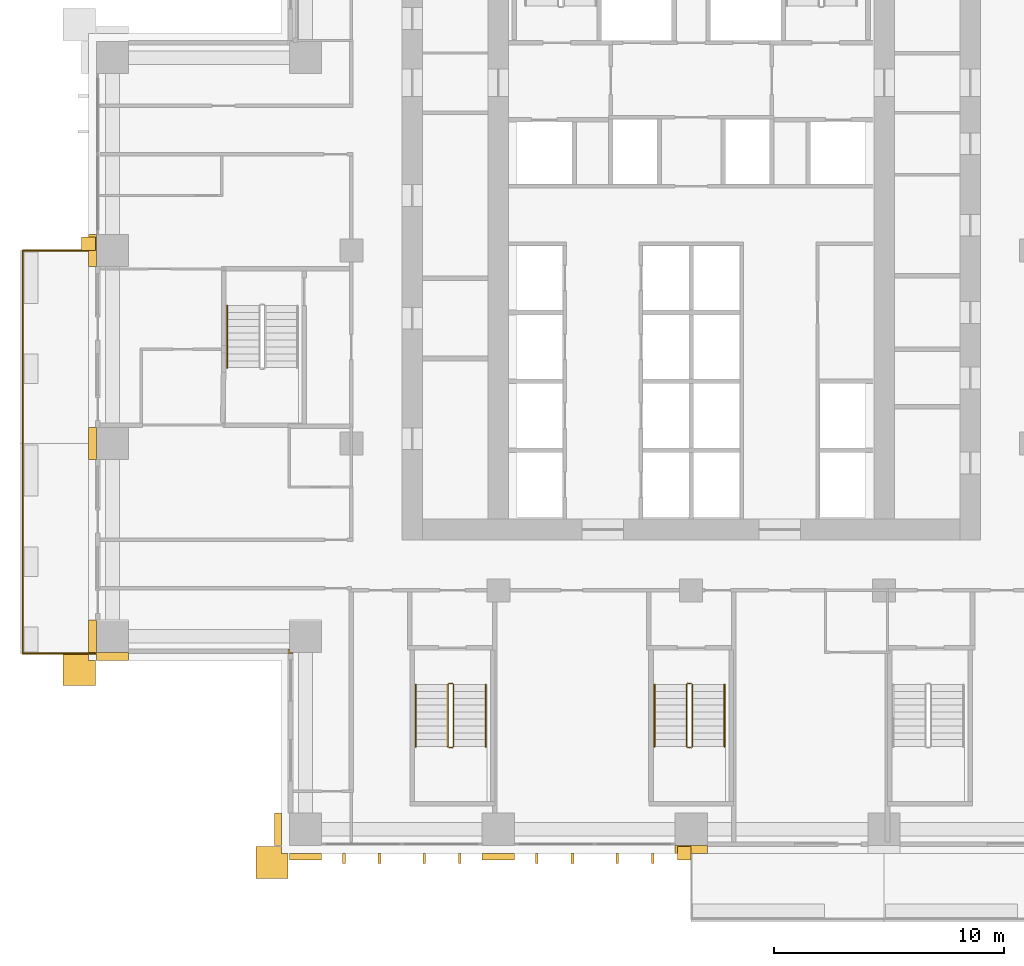
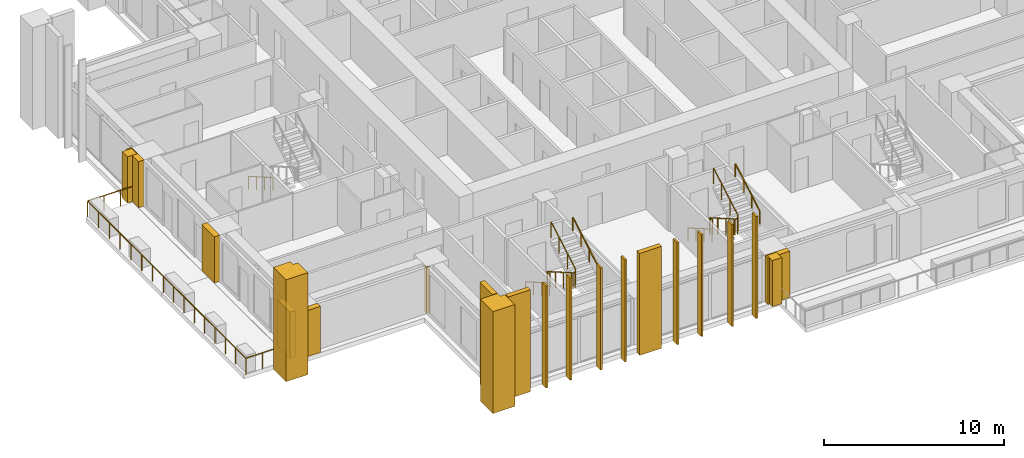
# One storey, part 15 of 19: 21 coverings, 9 railings.
"""IFC4 building model written with IfcOpenShell, lengths in metres."""

from ifc_helpers import new_model, si_unit, direction, frame, origin, origin_2d, place, context, subcontext, project, spatial, polyline, rectangle, outline, extrude, material, layer, layer_set, type_object, element, save


model = new_model("IFC4")

# Units and contexts
model_context = context("Model", 3, precision=1e-05, world=origin(), true_north=direction((0.0, 1.0)))
body_context = subcontext(model_context, "Body", "Model", "MODEL_VIEW")
ifc_project = project(units=[si_unit("LENGTHUNIT", "METRE"), si_unit("AREAUNIT", "SQUARE_METRE"), si_unit("VOLUMEUNIT", "CUBIC_METRE"), si_unit("PLANEANGLEUNIT", "RADIAN"), si_unit("MASSUNIT", "GRAM", prefix="KILO")], contexts=[model_context])

# Site, building, storey
site_placement = place(None, origin())
site = spatial("IfcSite", under=ifc_project, at=site_placement, CompositionType="ELEMENT")
building_placement = place(site_placement, origin())
building = spatial("IfcBuilding", under=site, at=building_placement, Name="Vermilion Ogive Tower", CompositionType="ELEMENT")
storey_placement = place(building_placement, frame((0.0, 0.0, 48.300048828125)))
storey = spatial("IfcBuildingStorey", under=building, at=storey_placement, Name="L10", CompositionType="ELEMENT", Elevation=48.300048828125)

# Railings
ifc_material_1 = material(Name="Stainless steel and glass", Category="steel")
railing_type_1 = type_object("IfcRailingType", Name="Balcony guard", PredefinedType="GUARDRAIL", material=ifc_material_1)
railing_1_placement = place(storey_placement, frame((-25.949951171875, 4.199951171875, -0.0400390625)))
element("IfcRailing", 1, at=railing_1_placement, inside=storey, type_object=railing_type_1, Name="Guard W02", PredefinedType="GUARDRAIL", context=body_context, shape_type="SweptSolid", body=[
    extrude(rectangle(XDim=0.048095703125, YDim=0.048095703125, at=origin_2d()), frame((0.0, 0.0, 1.076171875), z_axis=(-1.0, 0.0, 0.0), x_axis=(0.0, -1.0, 0.0)), (0.0, 0.0, 1.0), 3.16015625),
    extrude(rectangle(XDim=0.048095703125, YDim=0.048095703125, at=origin_2d()), frame((-3.16015625, 0.0, 1.076171875), z_axis=(0.0, -1.0, 0.0), x_axis=(1.0, 0.0, 0.0)), (0.0, 0.0, 1.0), 8.39990234375),
    extrude(rectangle(XDim=0.0419921875, YDim=0.0419921875, at=origin_2d()), origin(), (0.0, 0.0, 1.0), 1.052001953125),
    extrude(rectangle(XDim=0.0419921875, YDim=0.0419921875, at=origin_2d()), frame((-1.053466796875, 0.0, 0.0)), (0.0, 0.0, 1.0), 1.052001953125),
    extrude(rectangle(XDim=0.0419921875, YDim=0.0419921875, at=origin_2d()), frame((-2.106689453125, 0.0, 0.0)), (0.0, 0.0, 1.0), 1.052001953125),
    extrude(rectangle(XDim=0.0419921875, YDim=0.0419921875, at=origin_2d()), frame((-3.16015625, 0.0, 0.0)), (0.0, 0.0, 1.0), 1.052001953125),
    extrude(rectangle(XDim=0.0419921875, YDim=0.0419921875, at=origin_2d()), frame((-3.16015625, -1.199951171875, 0.0)), (0.0, 0.0, 1.0), 1.052001953125),
    extrude(rectangle(XDim=0.0419921875, YDim=0.0419921875, at=origin_2d()), frame((-3.16015625, -2.39990234375, 0.0)), (0.0, 0.0, 1.0), 1.052001953125),
    extrude(rectangle(XDim=0.0419921875, YDim=0.0419921875, at=origin_2d()), frame((-3.16015625, -3.599853515625, 0.0)), (0.0, 0.0, 1.0), 1.052001953125),
    extrude(rectangle(XDim=0.0419921875, YDim=0.0419921875, at=origin_2d()), frame((-3.16015625, -4.800048828125, 0.0)), (0.0, 0.0, 1.0), 1.052001953125),
    extrude(rectangle(XDim=0.0419921875, YDim=0.0419921875, at=origin_2d()), frame((-3.16015625, -6.0, 0.0)), (0.0, 0.0, 1.0), 1.052001953125),
    extrude(rectangle(XDim=0.0419921875, YDim=0.0419921875, at=origin_2d()), frame((-3.16015625, -7.199951171875, 0.0)), (0.0, 0.0, 1.0), 1.052001953125),
    extrude(rectangle(XDim=0.0419921875, YDim=0.0419921875, at=origin_2d()), frame((-3.16015625, -8.39990234375, 0.0)), (0.0, 0.0, 1.0), 1.052001953125),
])
railing_2_placement = place(storey_placement, frame((-29.110107421875, -4.199951171875, -0.0400390625)))
element("IfcRailing", 2, at=railing_2_placement, inside=storey, type_object=railing_type_1, Name="Guard W03", PredefinedType="GUARDRAIL", context=body_context, shape_type="SweptSolid", body=[
    extrude(rectangle(XDim=0.048095703125, YDim=0.048095703125, at=origin_2d()), frame((0.0, 0.0, 1.076171875), z_axis=(0.0, -1.0, 0.0), x_axis=(1.0, 0.0, 0.0)), (0.0, 0.0, 1.0), 9.150146484375),
    extrude(rectangle(XDim=0.048095703125, YDim=0.048095703125, at=origin_2d()), frame((0.0, -9.150146484375, 1.076171875), z_axis=(1.0, 0.0, 0.0), x_axis=(0.0, 1.0, 0.0)), (0.0, 0.0, 1.0), 3.16015625),
    extrude(rectangle(XDim=0.0419921875, YDim=0.0419921875, at=origin_2d()), origin(), (0.0, 0.0, 1.0), 1.052001953125),
    extrude(rectangle(XDim=0.0419921875, YDim=0.0419921875, at=origin_2d()), frame((0.0, -1.143798828125, 0.0)), (0.0, 0.0, 1.0), 1.052001953125),
    extrude(rectangle(XDim=0.0419921875, YDim=0.0419921875, at=origin_2d()), frame((0.0, -2.28759765625, 0.0)), (0.0, 0.0, 1.0), 1.052001953125),
    extrude(rectangle(XDim=0.0419921875, YDim=0.0419921875, at=origin_2d()), frame((0.0, -3.431396484375, 0.0)), (0.0, 0.0, 1.0), 1.052001953125),
    extrude(rectangle(XDim=0.0419921875, YDim=0.0419921875, at=origin_2d()), frame((0.0, -4.5751953125, 0.0)), (0.0, 0.0, 1.0), 1.052001953125),
    extrude(rectangle(XDim=0.0419921875, YDim=0.0419921875, at=origin_2d()), frame((0.0, -5.71875, 0.0)), (0.0, 0.0, 1.0), 1.052001953125),
    extrude(rectangle(XDim=0.0419921875, YDim=0.0419921875, at=origin_2d()), frame((0.0, -6.862548828125, 0.0)), (0.0, 0.0, 1.0), 1.052001953125),
    extrude(rectangle(XDim=0.0419921875, YDim=0.0419921875, at=origin_2d()), frame((0.0, -8.00634765625, 0.0)), (0.0, 0.0, 1.0), 1.052001953125),
    extrude(rectangle(XDim=0.0419921875, YDim=0.0419921875, at=origin_2d()), frame((0.0, -9.150146484375, 0.0)), (0.0, 0.0, 1.0), 1.052001953125),
    extrude(rectangle(XDim=0.0419921875, YDim=0.0419921875, at=origin_2d()), frame((1.053466796875, -9.150146484375, 0.0)), (0.0, 0.0, 1.0), 1.052001953125),
    extrude(rectangle(XDim=0.0419921875, YDim=0.0419921875, at=origin_2d()), frame((2.106689453125, -9.150146484375, 0.0)), (0.0, 0.0, 1.0), 1.052001953125),
    extrude(rectangle(XDim=0.0419921875, YDim=0.0419921875, at=origin_2d()), frame((3.16015625, -9.150146484375, 0.0)), (0.0, 0.0, 1.0), 1.052001953125),
])

# Coverings
ifc_material_2 = material(Name="Glazed ceramic screen")
ifc_layer = layer(ifc_material_2, 0.14990234375)
ifc_layer_set = layer_set([ifc_layer], Name="Ceramic solar screen fin")
covering_type_1 = type_object("IfcCoveringType", Name="Ceramic solar screen fin", PredefinedType="CLADDING", material=ifc_layer_set)
covering_1_placement = place(storey_placement, frame((0.0, 0.0, -0.320068359375)))
element("IfcCovering", 3, at=covering_1_placement, inside=storey, type_object=covering_type_1, Name="Solar screen blade S961", PredefinedType="CLADDING", context=body_context, shape_type="SweptSolid", body=[
    extrude(outline(polyline([(-15.18505859375, -22.5), (-15.06494140625, -22.5), (-15.06494140625, -22.050048828125), (-15.18505859375, -22.050048828125), (-15.18505859375, -22.5)])), origin(), (0.0, 0.0, 1.0), 6.89990234375),
])
covering_2_placement = place(storey_placement, frame((0.0, 0.0, -0.320068359375)))
element("IfcCovering", 4, at=covering_2_placement, inside=storey, type_object=covering_type_1, Name="Solar screen blade S962", PredefinedType="CLADDING", context=body_context, shape_type="SweptSolid", body=[
    extrude(outline(polyline([(-13.635009765625, -22.5), (-13.514892578125, -22.5), (-13.514892578125, -22.050048828125), (-13.635009765625, -22.050048828125), (-13.635009765625, -22.5)])), origin(), (0.0, 0.0, 1.0), 6.89990234375),
])
covering_3_placement = place(storey_placement, frame((0.0, 0.0, -0.320068359375)))
element("IfcCovering", 5, at=covering_3_placement, inside=storey, type_object=covering_type_1, Name="Solar screen blade S971", PredefinedType="CLADDING", context=body_context, shape_type="SweptSolid", body=[
    extrude(outline(polyline([(-11.68505859375, -22.5), (-11.56494140625, -22.5), (-11.56494140625, -22.050048828125), (-11.68505859375, -22.050048828125), (-11.68505859375, -22.5)])), origin(), (0.0, 0.0, 1.0), 6.89990234375),
])
covering_4_placement = place(storey_placement, frame((0.0, 0.0, -0.320068359375)))
element("IfcCovering", 6, at=covering_4_placement, inside=storey, type_object=covering_type_1, Name="Solar screen blade S972", PredefinedType="CLADDING", context=body_context, shape_type="SweptSolid", body=[
    extrude(outline(polyline([(-10.135009765625, -22.5), (-10.014892578125, -22.5), (-10.014892578125, -22.050048828125), (-10.135009765625, -22.050048828125), (-10.135009765625, -22.5)])), origin(), (0.0, 0.0, 1.0), 6.89990234375),
])
covering_5_placement = place(storey_placement, frame((0.0, 0.0, -0.320068359375)))
element("IfcCovering", 7, at=covering_5_placement, inside=storey, type_object=covering_type_1, Name="Solar screen blade S981", PredefinedType="CLADDING", context=body_context, shape_type="SweptSolid", body=[
    extrude(outline(polyline([(-6.784912109375, -22.5), (-6.6650390625, -22.5), (-6.6650390625, -22.050048828125), (-6.784912109375, -22.050048828125), (-6.784912109375, -22.5)])), origin(), (0.0, 0.0, 1.0), 6.89990234375),
])
covering_6_placement = place(storey_placement, frame((0.0, 0.0, -0.320068359375)))
element("IfcCovering", 8, at=covering_6_placement, inside=storey, type_object=covering_type_1, Name="Solar screen blade S982", PredefinedType="CLADDING", context=body_context, shape_type="SweptSolid", body=[
    extrude(outline(polyline([(-5.235107421875, -22.5), (-5.114990234375, -22.5), (-5.114990234375, -22.050048828125), (-5.235107421875, -22.050048828125), (-5.235107421875, -22.5)])), origin(), (0.0, 0.0, 1.0), 6.89990234375),
])
covering_7_placement = place(storey_placement, frame((0.0, 0.0, -0.320068359375)))
element("IfcCovering", 9, at=covering_7_placement, inside=storey, type_object=covering_type_1, Name="Solar screen blade S991", PredefinedType="CLADDING", context=body_context, shape_type="SweptSolid", body=[
    extrude(outline(polyline([(-3.284912109375, -22.5), (-3.1650390625, -22.5), (-3.1650390625, -22.050048828125), (-3.284912109375, -22.050048828125), (-3.284912109375, -22.5)])), origin(), (0.0, 0.0, 1.0), 6.89990234375),
])
covering_8_placement = place(storey_placement, frame((0.0, 0.0, -0.320068359375)))
element("IfcCovering", 10, at=covering_8_placement, inside=storey, type_object=covering_type_1, Name="Solar screen blade S992", PredefinedType="CLADDING", context=body_context, shape_type="SweptSolid", body=[
    extrude(outline(polyline([(-1.735107421875, -22.5), (-1.614990234375, -22.5), (-1.614990234375, -22.050048828125), (-1.735107421875, -22.050048828125), (-1.735107421875, -22.5)])), origin(), (0.0, 0.0, 1.0), 6.89990234375),
])

# Railings
ifc_material_3 = material(Name="Steel S355 painted", Category="steel")
railing_type_2 = type_object("IfcRailingType", Name="Stair guard 1100", PredefinedType="GUARDRAIL", material=ifc_material_3)
railing_3_placement = place(storey_placement, frame((-10.39990234375, -14.64990234375, 0.0)))
element("IfcRailing", 11, at=railing_3_placement, inside=storey, type_object=railing_type_2, Name="L10 ST3 stair guard 4", PredefinedType="GUARDRAIL", context=body_context, shape_type="SweptSolid", body=[
    extrude(rectangle(XDim=0.048095703125, YDim=0.048095703125, at=origin_2d()), frame((0.0, 0.0, 1.076171875), z_axis=(-1.0, 0.0, 0.0), x_axis=(0.0, -1.0, 0.0)), (0.0, 0.0, 1.0), 0.150146484375),
    extrude(rectangle(XDim=0.048095703125, YDim=0.048095703125, at=origin_2d()), frame((-0.150146484375, 0.0, 1.076171875), z_axis=(-0.268603158521, -0.268603158521, 0.925043072762), x_axis=(0.707106781187, -0.707106781187, 0.0)), (0.0, 0.0, 1.0), 0.186279296875),
    extrude(rectangle(XDim=0.048095703125, YDim=0.048095703125, at=origin_2d()), frame((-0.2001953125, -0.050048828125, 1.24853515625), z_axis=(0.0, -0.866903762492, 0.498475542607), x_axis=(1.0, 0.0, 0.0)), (0.0, 0.0, 1.0), 3.114501953125),
    extrude(rectangle(XDim=0.048095703125, YDim=0.048095703125, at=origin_2d()), frame((-0.2001953125, -2.75, 2.80078125), z_axis=(0.707106781187, -0.707106781187, 0.0), x_axis=(0.707106781187, 0.707106781187, 0.0)), (0.0, 0.0, 1.0), 0.07080078125),
    extrude(rectangle(XDim=0.048095703125, YDim=0.048095703125, at=origin_2d()), frame((-0.150146484375, -2.800048828125, 2.80078125), z_axis=(1.0, 0.0, 0.0), x_axis=(0.0, 1.0, 0.0)), (0.0, 0.0, 1.0), 0.150146484375),
    extrude(rectangle(XDim=0.048095703125, YDim=0.048095703125, at=origin_2d()), frame((0.0, -2.800048828125, 2.80078125), z_axis=(0.267062837333, 0.268371968888, 0.925556009775), x_axis=(-0.708833529934, 0.705375805398, 0.0)), (0.0, 0.0, 1.0), 0.1865234375),
    extrude(rectangle(XDim=0.048095703125, YDim=0.048095703125, at=origin_2d()), frame((0.0498046875, -2.75, 2.9736328125), z_axis=(0.0, 0.866903762492, 0.498475542607), x_axis=(-1.0, 0.0, 0.0)), (0.0, 0.0, 1.0), 3.114501953125),
    extrude(rectangle(XDim=0.0419921875, YDim=0.0419921875, at=origin_2d()), origin(), (0.0, 0.0, 1.0), 1.052001953125),
    extrude(rectangle(XDim=0.0419921875, YDim=0.0419921875, at=origin_2d()), frame((-0.150146484375, 0.0, 0.0)), (0.0, 0.0, 1.0), 1.052001953125),
    extrude(rectangle(XDim=0.0419921875, YDim=0.0419921875, at=origin_2d()), frame((-0.2001953125, -0.050048828125, 0.17236328125)), (0.0, 0.0, 1.0), 1.052001953125),
    extrude(rectangle(XDim=0.0419921875, YDim=0.0419921875, at=origin_2d()), frame((-0.2001953125, -0.949951171875, 0.68994140625)), (0.0, 0.0, 1.0), 1.052001953125),
    extrude(rectangle(XDim=0.0419921875, YDim=0.0419921875, at=origin_2d()), frame((-0.2001953125, -1.85009765625, 1.207275390625)), (0.0, 0.0, 1.0), 1.052001953125),
    extrude(rectangle(XDim=0.0419921875, YDim=0.0419921875, at=origin_2d()), frame((-0.2001953125, -2.75, 1.724853515625)), (0.0, 0.0, 1.0), 1.052001953125),
    extrude(rectangle(XDim=0.0419921875, YDim=0.0419921875, at=origin_2d()), frame((-0.150146484375, -2.800048828125, 1.724853515625)), (0.0, 0.0, 1.0), 1.052001953125),
    extrude(rectangle(XDim=0.0419921875, YDim=0.0419921875, at=origin_2d()), frame((0.0, -2.800048828125, 1.724853515625)), (0.0, 0.0, 1.0), 1.052001953125),
    extrude(rectangle(XDim=0.0419921875, YDim=0.0419921875, at=origin_2d()), frame((0.0498046875, -2.75, 1.8974609375)), (0.0, 0.0, 1.0), 1.052001953125),
    extrude(rectangle(XDim=0.0419921875, YDim=0.0419921875, at=origin_2d()), frame((0.0498046875, -1.85009765625, 2.4150390625)), (0.0, 0.0, 1.0), 1.052001953125),
    extrude(rectangle(XDim=0.0419921875, YDim=0.0419921875, at=origin_2d()), frame((0.0498046875, -0.949951171875, 2.932373046875)), (0.0, 0.0, 1.0), 1.052001953125),
    extrude(rectangle(XDim=0.0419921875, YDim=0.0419921875, at=origin_2d()), frame((0.0498046875, -0.050048828125, 3.449951171875)), (0.0, 0.0, 1.0), 1.052001953125),
])
railing_4_placement = place(storey_placement, frame((0.0, -14.64990234375, 0.0)))
element("IfcRailing", 12, at=railing_4_placement, inside=storey, type_object=railing_type_2, Name="L10 ST4 stair guard 4", PredefinedType="GUARDRAIL", context=body_context, shape_type="SweptSolid", body=[
    extrude(rectangle(XDim=0.048095703125, YDim=0.048095703125, at=origin_2d()), frame((0.0, 0.0, 1.076171875), z_axis=(-1.0, 0.0, 0.0), x_axis=(0.0, -1.0, 0.0)), (0.0, 0.0, 1.0), 0.14990234375),
    extrude(rectangle(XDim=0.048095703125, YDim=0.048095703125, at=origin_2d()), frame((-0.14990234375, 0.0, 1.076171875), z_axis=(-0.268603158521, -0.268603158521, 0.925043072762), x_axis=(0.707106781187, -0.707106781187, 0.0)), (0.0, 0.0, 1.0), 0.186279296875),
    extrude(rectangle(XDim=0.048095703125, YDim=0.048095703125, at=origin_2d()), frame((-0.199951171875, -0.050048828125, 1.24853515625), z_axis=(0.0, -0.866903762492, 0.498475542607), x_axis=(1.0, 0.0, 0.0)), (0.0, 0.0, 1.0), 3.114501953125),
    extrude(rectangle(XDim=0.048095703125, YDim=0.048095703125, at=origin_2d()), frame((-0.199951171875, -2.75, 2.80078125), z_axis=(0.707106781187, -0.707106781187, 0.0), x_axis=(0.707106781187, 0.707106781187, 0.0)), (0.0, 0.0, 1.0), 0.07080078125),
    extrude(rectangle(XDim=0.048095703125, YDim=0.048095703125, at=origin_2d()), frame((-0.14990234375, -2.800048828125, 2.80078125), z_axis=(1.0, 0.0, 0.0), x_axis=(0.0, 1.0, 0.0)), (0.0, 0.0, 1.0), 0.14990234375),
    extrude(rectangle(XDim=0.048095703125, YDim=0.048095703125, at=origin_2d()), frame((0.0, -2.800048828125, 2.80078125), z_axis=(0.268277960024, 0.268277960024, 0.925231793839), x_axis=(-0.707106781187, 0.707106781187, 0.0)), (0.0, 0.0, 1.0), 0.1865234375),
    extrude(rectangle(XDim=0.048095703125, YDim=0.048095703125, at=origin_2d()), frame((0.050048828125, -2.75, 2.9736328125), z_axis=(0.0, 0.866903762492, 0.498475542607), x_axis=(-1.0, 0.0, 0.0)), (0.0, 0.0, 1.0), 3.114501953125),
    extrude(rectangle(XDim=0.0419921875, YDim=0.0419921875, at=origin_2d()), origin(), (0.0, 0.0, 1.0), 1.052001953125),
    extrude(rectangle(XDim=0.0419921875, YDim=0.0419921875, at=origin_2d()), frame((-0.14990234375, 0.0, 0.0)), (0.0, 0.0, 1.0), 1.052001953125),
    extrude(rectangle(XDim=0.0419921875, YDim=0.0419921875, at=origin_2d()), frame((-0.199951171875, -0.050048828125, 0.17236328125)), (0.0, 0.0, 1.0), 1.052001953125),
    extrude(rectangle(XDim=0.0419921875, YDim=0.0419921875, at=origin_2d()), frame((-0.199951171875, -0.949951171875, 0.68994140625)), (0.0, 0.0, 1.0), 1.052001953125),
    extrude(rectangle(XDim=0.0419921875, YDim=0.0419921875, at=origin_2d()), frame((-0.199951171875, -1.85009765625, 1.207275390625)), (0.0, 0.0, 1.0), 1.052001953125),
    extrude(rectangle(XDim=0.0419921875, YDim=0.0419921875, at=origin_2d()), frame((-0.199951171875, -2.75, 1.724853515625)), (0.0, 0.0, 1.0), 1.052001953125),
    extrude(rectangle(XDim=0.0419921875, YDim=0.0419921875, at=origin_2d()), frame((-0.14990234375, -2.800048828125, 1.724853515625)), (0.0, 0.0, 1.0), 1.052001953125),
    extrude(rectangle(XDim=0.0419921875, YDim=0.0419921875, at=origin_2d()), frame((0.0, -2.800048828125, 1.724853515625)), (0.0, 0.0, 1.0), 1.052001953125),
    extrude(rectangle(XDim=0.0419921875, YDim=0.0419921875, at=origin_2d()), frame((0.050048828125, -2.75, 1.8974609375)), (0.0, 0.0, 1.0), 1.052001953125),
    extrude(rectangle(XDim=0.0419921875, YDim=0.0419921875, at=origin_2d()), frame((0.050048828125, -1.85009765625, 2.4150390625)), (0.0, 0.0, 1.0), 1.052001953125),
    extrude(rectangle(XDim=0.0419921875, YDim=0.0419921875, at=origin_2d()), frame((0.050048828125, -0.949951171875, 2.932373046875)), (0.0, 0.0, 1.0), 1.052001953125),
    extrude(rectangle(XDim=0.0419921875, YDim=0.0419921875, at=origin_2d()), frame((0.050048828125, -0.050048828125, 3.449951171875)), (0.0, 0.0, 1.0), 1.052001953125),
])
ifc_material_4 = material(Name="Stainless steel", Category="steel")
railing_type_3 = type_object("IfcRailingType", Name="Stair handrail 900", PredefinedType="HANDRAIL", material=ifc_material_4)
railing_5_placement = place(storey_placement, frame((-12.0, -14.699951171875, 0.17236328125)))
element("IfcRailing", 13, at=railing_5_placement, inside=storey, type_object=railing_type_3, Name="L10 ST3 stair handrail 1", PredefinedType="HANDRAIL", context=body_context, shape_type="SweptSolid", body=[
    extrude(rectangle(XDim=0.048095703125, YDim=0.048095703125, at=origin_2d()), frame((0.0, 0.0, 0.8759765625), z_axis=(0.0, -0.866903762492, 0.498475542607), x_axis=(1.0, 0.0, 0.0)), (0.0, 0.0, 1.0), 3.114501953125),
    extrude(rectangle(XDim=0.0419921875, YDim=0.0419921875, at=origin_2d()), origin(), (0.0, 0.0, 1.0), 0.851806640625),
    extrude(rectangle(XDim=0.0419921875, YDim=0.0419921875, at=origin_2d()), frame((0.0, -0.89990234375, 0.517578125)), (0.0, 0.0, 1.0), 0.851806640625),
    extrude(rectangle(XDim=0.0419921875, YDim=0.0419921875, at=origin_2d()), frame((0.0, -1.800048828125, 1.034912109375)), (0.0, 0.0, 1.0), 0.851806640625),
    extrude(rectangle(XDim=0.0419921875, YDim=0.0419921875, at=origin_2d()), frame((0.0, -2.699951171875, 1.552490234375)), (0.0, 0.0, 1.0), 0.851806640625),
])
railing_6_placement = place(storey_placement, frame((-8.949951171875, -17.39990234375, 1.8974609375)))
element("IfcRailing", 14, at=railing_6_placement, inside=storey, type_object=railing_type_3, Name="L10 ST3 stair handrail 2", PredefinedType="HANDRAIL", context=body_context, shape_type="SweptSolid", body=[
    extrude(rectangle(XDim=0.048095703125, YDim=0.048095703125, at=origin_2d()), frame((0.0, 0.0, 0.8759765625), z_axis=(0.0, 0.866903762492, 0.498475542607), x_axis=(-1.0, 0.0, 0.0)), (0.0, 0.0, 1.0), 3.114501953125),
    extrude(rectangle(XDim=0.0419921875, YDim=0.0419921875, at=origin_2d()), origin(), (0.0, 0.0, 1.0), 0.851806640625),
    extrude(rectangle(XDim=0.0419921875, YDim=0.0419921875, at=origin_2d()), frame((0.0, 0.89990234375, 0.517578125)), (0.0, 0.0, 1.0), 0.851806640625),
    extrude(rectangle(XDim=0.0419921875, YDim=0.0419921875, at=origin_2d()), frame((0.0, 1.800048828125, 1.034912109375)), (0.0, 0.0, 1.0), 0.851806640625),
    extrude(rectangle(XDim=0.0419921875, YDim=0.0419921875, at=origin_2d()), frame((0.0, 2.699951171875, 1.552490234375)), (0.0, 0.0, 1.0), 0.851806640625),
])
railing_7_placement = place(storey_placement, frame((-1.60009765625, -14.699951171875, 0.17236328125)))
element("IfcRailing", 15, at=railing_7_placement, inside=storey, type_object=railing_type_3, Name="L10 ST4 stair handrail 1", PredefinedType="HANDRAIL", context=body_context, shape_type="SweptSolid", body=[
    extrude(rectangle(XDim=0.048095703125, YDim=0.048095703125, at=origin_2d()), frame((0.0, 0.0, 0.8759765625), z_axis=(0.0, -0.866903762492, 0.498475542607), x_axis=(1.0, 0.0, 0.0)), (0.0, 0.0, 1.0), 3.114501953125),
    extrude(rectangle(XDim=0.0419921875, YDim=0.0419921875, at=origin_2d()), origin(), (0.0, 0.0, 1.0), 0.851806640625),
    extrude(rectangle(XDim=0.0419921875, YDim=0.0419921875, at=origin_2d()), frame((0.0, -0.89990234375, 0.517578125)), (0.0, 0.0, 1.0), 0.851806640625),
    extrude(rectangle(XDim=0.0419921875, YDim=0.0419921875, at=origin_2d()), frame((0.0, -1.800048828125, 1.034912109375)), (0.0, 0.0, 1.0), 0.851806640625),
    extrude(rectangle(XDim=0.0419921875, YDim=0.0419921875, at=origin_2d()), frame((0.0, -2.699951171875, 1.552490234375)), (0.0, 0.0, 1.0), 0.851806640625),
])
railing_8_placement = place(storey_placement, frame((1.449951171875, -17.39990234375, 1.8974609375)))
element("IfcRailing", 16, at=railing_8_placement, inside=storey, type_object=railing_type_3, Name="L10 ST4 stair handrail 2", PredefinedType="HANDRAIL", context=body_context, shape_type="SweptSolid", body=[
    extrude(rectangle(XDim=0.048095703125, YDim=0.048095703125, at=origin_2d()), frame((0.0, 0.0, 0.8759765625), z_axis=(0.0, 0.866903762492, 0.498475542607), x_axis=(-1.0, 0.0, 0.0)), (0.0, 0.0, 1.0), 3.114501953125),
    extrude(rectangle(XDim=0.0419921875, YDim=0.0419921875, at=origin_2d()), origin(), (0.0, 0.0, 1.0), 0.851806640625),
    extrude(rectangle(XDim=0.0419921875, YDim=0.0419921875, at=origin_2d()), frame((0.0, 0.89990234375, 0.517578125)), (0.0, 0.0, 1.0), 0.851806640625),
    extrude(rectangle(XDim=0.0419921875, YDim=0.0419921875, at=origin_2d()), frame((0.0, 1.800048828125, 1.034912109375)), (0.0, 0.0, 1.0), 0.851806640625),
    extrude(rectangle(XDim=0.0419921875, YDim=0.0419921875, at=origin_2d()), frame((0.0, 2.699951171875, 1.552490234375)), (0.0, 0.0, 1.0), 0.851806640625),
])
railing_9_placement = place(storey_placement, frame((-20.199951171875, 1.800048828125, 0.17236328125)))
element("IfcRailing", 17, at=railing_9_placement, inside=storey, type_object=railing_type_3, Name="L10 ST9 stair handrail 1", PredefinedType="HANDRAIL", context=body_context, shape_type="SweptSolid", body=[
    extrude(rectangle(XDim=0.048095703125, YDim=0.048095703125, at=origin_2d()), frame((0.0, 0.0, 0.8759765625), z_axis=(0.0, -0.866903762492, 0.498475542607), x_axis=(1.0, 0.0, 0.0)), (0.0, 0.0, 1.0), 3.114501953125),
    extrude(rectangle(XDim=0.0419921875, YDim=0.0419921875, at=origin_2d()), origin(), (0.0, 0.0, 1.0), 0.851806640625),
    extrude(rectangle(XDim=0.0419921875, YDim=0.0419921875, at=origin_2d()), frame((0.0, -0.89990234375, 0.517578125)), (0.0, 0.0, 1.0), 0.851806640625),
    extrude(rectangle(XDim=0.0419921875, YDim=0.0419921875, at=origin_2d()), frame((0.0, -1.800048828125, 1.034912109375)), (0.0, 0.0, 1.0), 0.851806640625),
    extrude(rectangle(XDim=0.0419921875, YDim=0.0419921875, at=origin_2d()), frame((0.0, -2.699951171875, 1.552490234375)), (0.0, 0.0, 1.0), 0.851806640625),
])

# Coverings
ifc_material_5 = material(Name="Stone cladding", Category="masonry")
covering_type_2 = type_object("IfcCoveringType", Name="Stone corner buttress", PredefinedType="CLADDING", material=ifc_material_5)
covering_9_placement = place(storey_placement, origin())
element("IfcCovering", 18, at=covering_9_placement, inside=storey, type_object=covering_type_2, Name="Stone crease pier SK", PredefinedType="CLADDING", context=body_context, shape_type="SweptSolid", body=[
    extrude(outline(polyline([(-0.60009765625, -22.35009765625), (0.0, -22.35009765625), (0.0, -21.75), (-0.60009765625, -21.75), (-0.60009765625, -22.35009765625)])), origin(), (0.0, 0.0, 1.0), 3.1298828125),
])
covering_10_placement = place(storey_placement, origin())
element("IfcCovering", 19, at=covering_10_placement, inside=storey, type_object=covering_type_2, Name="Stone crease pier WK", PredefinedType="CLADDING", context=body_context, shape_type="SweptSolid", body=[
    extrude(outline(polyline([(-26.550048828125, 4.800048828125), (-26.550048828125, 4.199951171875), (-25.949951171875, 4.199951171875), (-25.949951171875, 4.800048828125), (-26.550048828125, 4.800048828125)])), origin(), (0.0, 0.0, 1.0), 3.1298828125),
])
covering_11_placement = place(storey_placement, frame((0.0, 0.0, -0.320068359375)))
element("IfcCovering", 20, at=covering_11_placement, inside=storey, type_object=covering_type_2, Name="Stone corner buttress S1", PredefinedType="CLADDING", context=body_context, shape_type="SweptSolid", body=[
    extrude(outline(polyline([(-17.85009765625, -21.75), (-17.85009765625, -22.050048828125), (-17.550048828125, -22.050048828125), (-17.550048828125, -23.14990234375), (-18.949951171875, -23.14990234375), (-18.949951171875, -21.75), (-17.85009765625, -21.75)])), origin(), (0.0, 0.0, 1.0), 6.89990234375),
])
covering_12_placement = place(storey_placement, frame((0.0, 0.0, -0.320068359375)))
element("IfcCovering", 21, at=covering_12_placement, inside=storey, type_object=covering_type_2, Name="Stone corner buttress X71", PredefinedType="CLADDING", context=body_context, shape_type="SweptSolid", body=[
    extrude(outline(polyline([(-27.35009765625, -13.35009765625), (-26.25, -13.35009765625), (-26.25, -13.64990234375), (-25.949951171875, -13.64990234375), (-25.949951171875, -14.75), (-27.35009765625, -14.75), (-27.35009765625, -13.35009765625)])), origin(), (0.0, 0.0, 1.0), 6.89990234375),
])
ifc_material_6 = material(Name="Stone cladding", Category="masonry")
covering_type_3 = type_object("IfcCoveringType", Name="Stone pier", PredefinedType="CLADDING", material=ifc_material_6)
covering_13_placement = place(storey_placement, origin())
element("IfcCovering", 22, at=covering_13_placement, inside=storey, type_object=covering_type_3, Name="Stone corner pier X7E1", PredefinedType="CLADDING", context=body_context, shape_type="SweptSolid", body=[
    extrude(outline(polyline([(-17.5, -13.14990234375), (-17.5, -13.300048828125), (-17.35009765625, -13.300048828125), (-17.35009765625, -13.35009765625), (-17.550048828125, -13.35009765625), (-17.550048828125, -13.14990234375), (-17.5, -13.14990234375)])), origin(), (0.0, 0.0, 1.0), 3.1298828125),
])
covering_14_placement = place(storey_placement, frame((0.0, 0.0, -0.320068359375)))
element("IfcCovering", 23, at=covering_14_placement, inside=storey, type_object=covering_type_3, Name="Stone pier P-0084-210", PredefinedType="CLADDING", context=body_context, shape_type="SweptSolid", body=[
    extrude(outline(polyline([(-7.699951171875, -22.35009765625), (-9.10009765625, -22.35009765625), (-9.10009765625, -22.050048828125), (-7.699951171875, -22.050048828125), (-7.699951171875, -22.35009765625)])), origin(), (0.0, 0.0, 1.0), 6.89990234375),
])
covering_15_placement = place(storey_placement, frame((0.0, 0.0, -0.320068359375)))
element("IfcCovering", 24, at=covering_15_placement, inside=storey, type_object=covering_type_3, Name="Stone pier P-0168-210S", PredefinedType="CLADDING", context=body_context, shape_type="SweptSolid", body=[
    extrude(outline(polyline([(-16.10009765625, -22.35009765625), (-17.5, -22.35009765625), (-17.5, -22.050048828125), (-16.10009765625, -22.050048828125), (-16.10009765625, -22.35009765625)])), origin(), (0.0, 0.0, 1.0), 6.89990234375),
])
covering_16_placement = place(storey_placement, frame((0.0, 0.0, -0.320068359375)))
element("IfcCovering", 25, at=covering_16_placement, inside=storey, type_object=covering_type_3, Name="Stone pier P-0168-210X8", PredefinedType="CLADDING", context=body_context, shape_type="SweptSolid", body=[
    extrude(outline(polyline([(-18.14990234375, -20.300048828125), (-17.85009765625, -20.300048828125), (-17.85009765625, -21.699951171875), (-18.14990234375, -21.699951171875), (-18.14990234375, -20.300048828125)])), origin(), (0.0, 0.0, 1.0), 6.89990234375),
])
covering_17_placement = place(storey_placement, origin())
element("IfcCovering", 26, at=covering_17_placement, inside=storey, type_object=covering_type_3, Name="Stone pier P+0000-210", PredefinedType="CLADDING", context=body_context, shape_type="SweptSolid", body=[
    extrude(outline(polyline([(0.699951171875, -22.050048828125), (0.0, -22.050048828125), (0.0, -21.75), (-0.60009765625, -21.75), (-0.60009765625, -22.050048828125), (-0.699951171875, -22.050048828125), (-0.699951171875, -21.699951171875), (0.699951171875, -21.699951171875), (0.699951171875, -22.050048828125)])), origin(), (0.0, 0.0, 1.0), 3.1298828125),
])
covering_18_placement = place(storey_placement, origin())
element("IfcCovering", 27, at=covering_18_placement, inside=storey, type_object=covering_type_3, Name="Stone pier P-0252+042", PredefinedType="CLADDING", context=body_context, shape_type="SweptSolid", body=[
    extrude(outline(polyline([(-26.25, 3.5), (-26.25, 4.199951171875), (-25.949951171875, 4.199951171875), (-25.949951171875, 4.800048828125), (-26.25, 4.800048828125), (-26.25, 4.89990234375), (-25.89990234375, 4.89990234375), (-25.89990234375, 3.5), (-26.25, 3.5)])), origin(), (0.0, 0.0, 1.0), 3.1298828125),
])
covering_19_placement = place(storey_placement, origin())
element("IfcCovering", 28, at=covering_19_placement, inside=storey, type_object=covering_type_3, Name="Stone pier P-0252-042", PredefinedType="CLADDING", context=body_context, shape_type="SweptSolid", body=[
    extrude(outline(polyline([(-26.25, -4.89990234375), (-26.25, -3.5), (-25.89990234375, -3.5), (-25.89990234375, -4.89990234375), (-26.25, -4.89990234375)])), origin(), (0.0, 0.0, 1.0), 3.1298828125),
])
covering_20_placement = place(storey_placement, origin())
element("IfcCovering", 29, at=covering_20_placement, inside=storey, type_object=covering_type_3, Name="Stone pier P-0252-126W", PredefinedType="CLADDING", context=body_context, shape_type="SweptSolid", body=[
    extrude(outline(polyline([(-26.25, -13.300048828125), (-26.25, -11.89990234375), (-25.89990234375, -11.89990234375), (-25.89990234375, -13.300048828125), (-26.25, -13.300048828125)])), origin(), (0.0, 0.0, 1.0), 3.1298828125),
])
covering_21_placement = place(storey_placement, origin())
element("IfcCovering", 30, at=covering_21_placement, inside=storey, type_object=covering_type_3, Name="Stone pier P-0252-126X7", PredefinedType="CLADDING", context=body_context, shape_type="SweptSolid", body=[
    extrude(outline(polyline([(-25.89990234375, -13.64990234375), (-25.89990234375, -13.300048828125), (-24.5, -13.300048828125), (-24.5, -13.64990234375), (-25.89990234375, -13.64990234375)])), origin(), (0.0, 0.0, 1.0), 3.1298828125),
])

save(model, "model.ifc")
